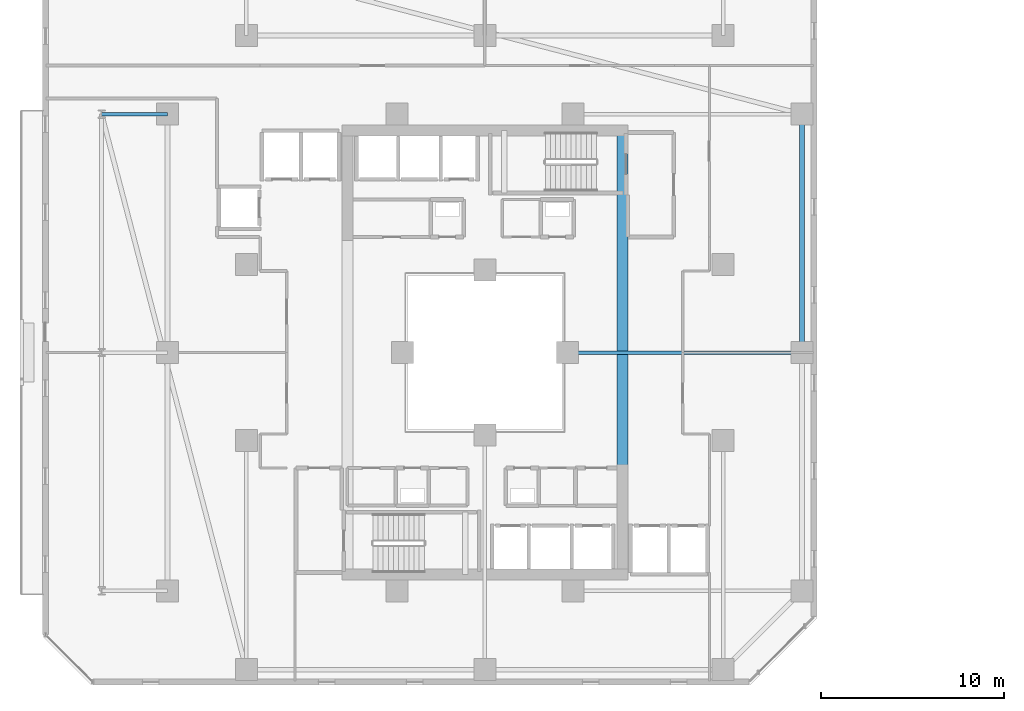
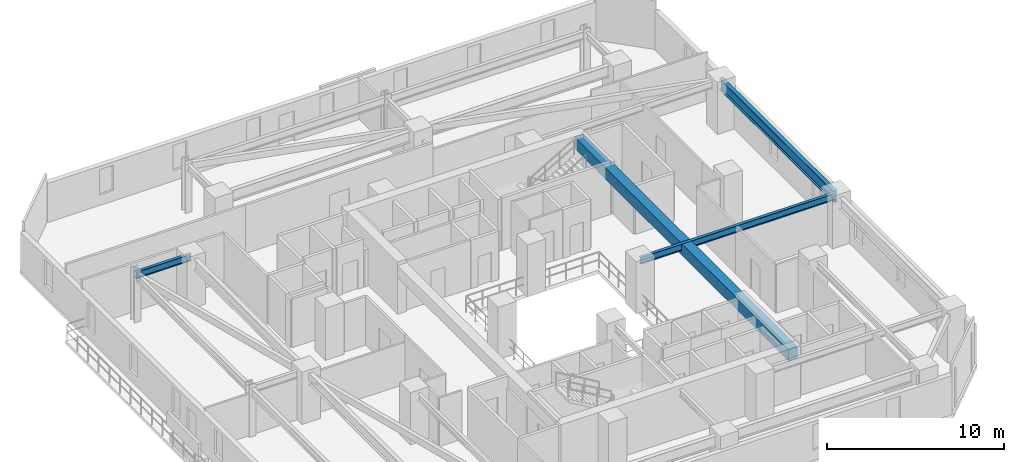
# One storey, part 6 of 33: 4 beams.
"""IFC4 building model written with IfcOpenShell, lengths in metres."""

from ifc_helpers import new_model, si_unit, direction, frame, origin, origin_2d, place, context, subcontext, project, spatial, rectangle, i_section, extrude, material, material_profile, profile_set, type_object, element, save


model = new_model("IFC4")

# Units and contexts
model_context = context("Model", 3, precision=1e-05, world=origin(), true_north=direction((0.0, 1.0)))
body_context = subcontext(model_context, "Body", "Model", "MODEL_VIEW")
ifc_project = project(units=[si_unit("LENGTHUNIT", "METRE"), si_unit("AREAUNIT", "SQUARE_METRE"), si_unit("VOLUMEUNIT", "CUBIC_METRE"), si_unit("PLANEANGLEUNIT", "RADIAN"), si_unit("MASSUNIT", "GRAM", prefix="KILO")], contexts=[model_context])

# Site, building, storey
site_placement = place(None, origin())
site = spatial("IfcSite", under=ifc_project, at=site_placement, CompositionType="ELEMENT")
building_placement = place(site_placement, origin())
building = spatial("IfcBuilding", under=site, at=building_placement, Name="Thornwick Lancets Civic Towers", CompositionType="ELEMENT")
storey_placement = place(building_placement, frame((0.0, 0.0, 105.300048828125)))
storey = spatial("IfcBuildingStorey", under=building, at=storey_placement, Name="L27", CompositionType="ELEMENT", Elevation=105.300048828125)

# Beams
ifc_material_1 = material(Name="Concrete C60/75", Category="concrete")
ifc_material_profile_1 = material_profile(ifc_material_1, rectangle(XDim=0.60009765625, YDim=0.800048828125, at=origin_2d()), Name="RC 600x800")
ifc_profile_set_1 = profile_set([ifc_material_profile_1], Name="Concrete C60/75")
beam_type_1 = type_object("IfcBeamType", Name="BM_COUP_RC800", PredefinedType="BEAM", material=ifc_profile_set_1)
beam_1_placement = place(storey_placement, frame((33.0, 14.89990234375, 2.9599609375), z_axis=(0.0, 1.0, 0.0), x_axis=(-1.0, 0.0, 0.0)))
element("IfcBeam", 1, at=beam_1_placement, inside=storey, type_object=beam_type_1, Name="CB-L27-A1", PredefinedType="BEAM", context=body_context, shape_type="SweptSolid", body=[
    extrude(rectangle(XDim=0.60009765625, YDim=0.800048828125, at=origin_2d()), origin(), (0.0, 0.0, 1.0), 24.2001953125),
])
ifc_material_2 = material(Name="Steel S355JR", Category="steel")
ifc_material_profile_2 = material_profile(ifc_material_2, i_section(OverallWidth=0.26806640625, OverallDepth=0.769775390625, WebThickness=0.015625, FlangeThickness=0.025390625, FilletRadius=0.0166015625, at=origin_2d()), Name="UKB 762x267x197")
ifc_profile_set_2 = profile_set([ifc_material_profile_2], Name="Steel S355JR")
beam_type_2 = type_object("IfcBeamType", Name="BM_GIRD_762_197", PredefinedType="BEAM", material=ifc_profile_set_2)
beam_2_placement = place(storey_placement, frame((42.800048828125, 27.080078125, 2.97509765625), z_axis=(0.0, 1.0, 0.0), x_axis=(-1.0, 0.0, 0.0)))
element("IfcBeam", 2, at=beam_2_placement, inside=storey, type_object=beam_type_2, Name="BM-SPINE-L27-A-4-5", PredefinedType="BEAM", context=body_context, shape_type="SweptSolid", body=[
    extrude(i_section(OverallWidth=0.26806640625, OverallDepth=0.769775390625, WebThickness=0.015625, FlangeThickness=0.025390625, FilletRadius=0.0166015625, at=origin_2d()), origin(), (0.0, 0.0, 1.0), 12.919921875),
])
ifc_material_profile_3 = material_profile(ifc_material_2, i_section(OverallWidth=0.19287109375, OverallDepth=0.46728515625, WebThickness=0.011474609375, FlangeThickness=0.01953125, FilletRadius=0.01025390625, at=origin_2d()), Name="UKB 457x191x98")
ifc_profile_set_3 = profile_set([ifc_material_profile_3], Name="Steel S355JR")
beam_type_3 = type_object("IfcBeamType", Name="BM_JOIST_457_98", PredefinedType="JOIST", material=ifc_profile_set_3)
beam_3_placement = place(storey_placement, frame((30.0, 27.0, 3.12646484375), z_axis=(1.0, 0.0, 0.0), x_axis=(0.0, 1.0, 0.0)))
element("IfcBeam", 3, at=beam_3_placement, inside=storey, type_object=beam_type_3, Name="BM-RADIN-L27-A05", PredefinedType="JOIST", context=body_context, shape_type="SweptSolid", body=[
    extrude(i_section(OverallWidth=0.19287109375, OverallDepth=0.46728515625, WebThickness=0.011474609375, FlangeThickness=0.01953125, FilletRadius=0.01025390625, at=origin_2d()), origin(), (0.0, 0.0, 1.0), 12.800048828125),
])
beam_4_placement = place(storey_placement, frame((8.199951171875, 40.0, 3.12646484375), z_axis=(-1.0, 0.0, 0.0), x_axis=(0.0, -1.0, 0.0)))
element("IfcBeam", 4, at=beam_4_placement, inside=storey, type_object=beam_type_3, Name="BM-RAD-L27-A12", PredefinedType="JOIST", context=body_context, shape_type="SweptSolid", body=[
    extrude(i_section(OverallWidth=0.19287109375, OverallDepth=0.46728515625, WebThickness=0.011474609375, FlangeThickness=0.01953125, FilletRadius=0.01025390625, at=origin_2d()), origin(), (0.0, 0.0, 1.0), 3.599853515625),
])

save(model, "model.ifc")
